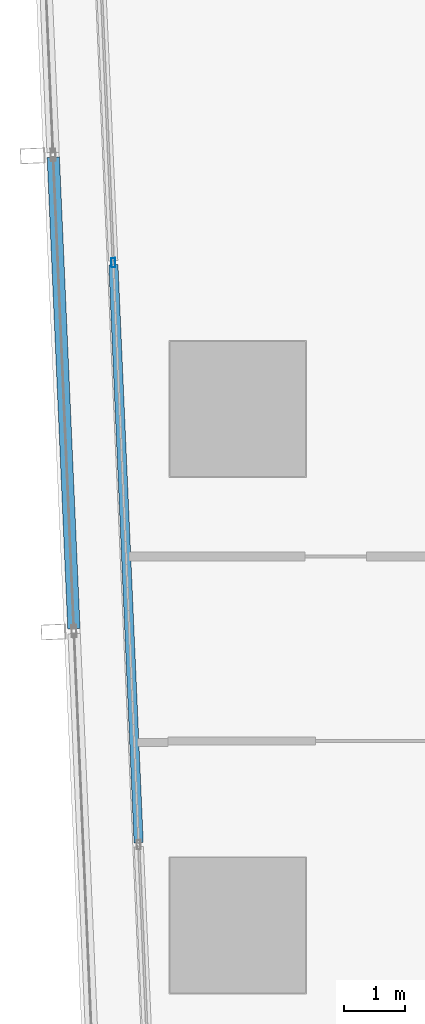
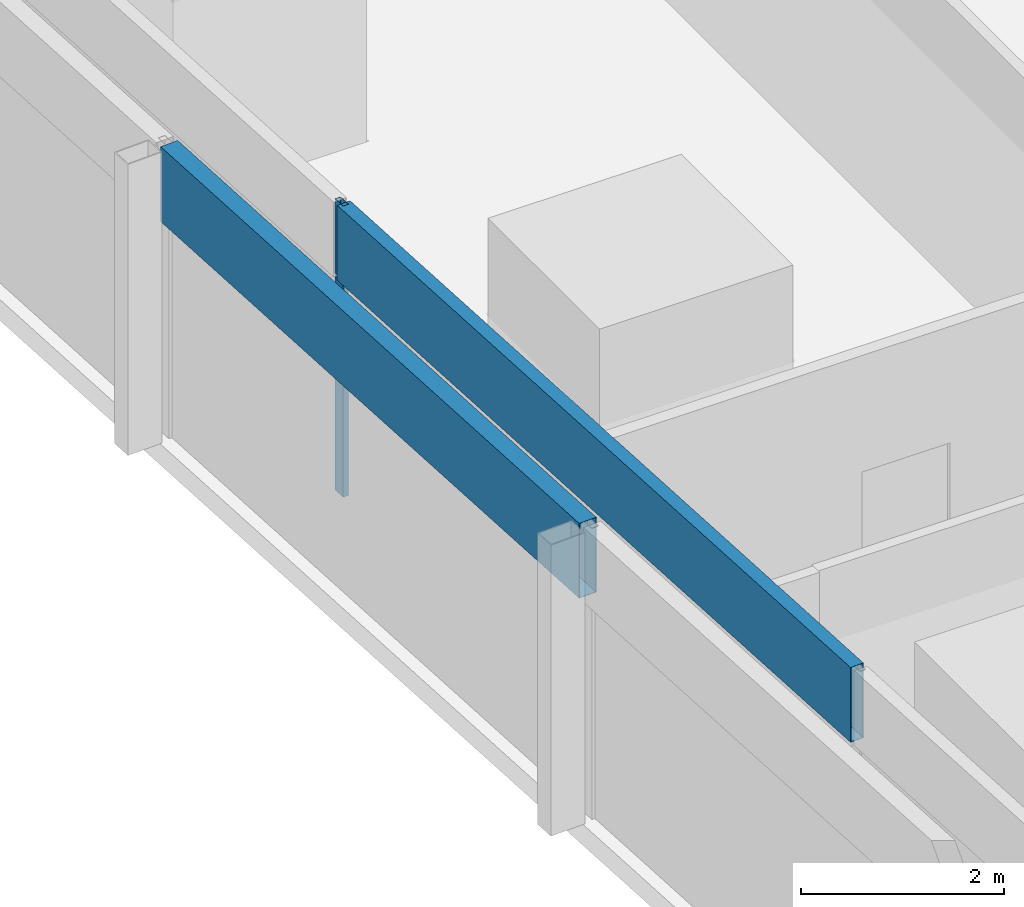
# One storey, part 8 of 44: 3 members, 2 elements without a shape of their own.
"""IFC4 building model written with IfcOpenShell, lengths in metres."""

from ifc_helpers import new_model, si_unit, direction, frame, origin, origin_2d, place, context, subcontext, project, spatial, hollow_rectangle, extrude, material, material_profile, profile_set, type_object, element, aggregate, save


model = new_model("IFC4")

# Units and contexts
model_context = context("Model", 3, precision=1e-05, world=origin(), true_north=direction((0.0, 1.0)))
body_context = subcontext(model_context, "Body", "Model", "MODEL_VIEW")
ifc_project = project(units=[si_unit("LENGTHUNIT", "METRE"), si_unit("AREAUNIT", "SQUARE_METRE"), si_unit("VOLUMEUNIT", "CUBIC_METRE"), si_unit("PLANEANGLEUNIT", "RADIAN"), si_unit("MASSUNIT", "GRAM", prefix="KILO")], contexts=[model_context])

# Site, building, storey
site_placement = place(None, origin())
site = spatial("IfcSite", under=ifc_project, at=site_placement, CompositionType="ELEMENT")
building_placement = place(site_placement, origin())
building = spatial("IfcBuilding", under=site, at=building_placement, Name="Rekha Terrace Tower", CompositionType="ELEMENT")
storey_placement = place(building_placement, frame((0.0, 0.0, 51.64990234375)))
storey = spatial("IfcBuildingStorey", under=building, at=storey_placement, Name="L12", CompositionType="ELEMENT", Elevation=51.64990234375)

# Curtain wall, members
ifc_material_1 = material(Name="Aluminium framing", Category="aluminium")
curtain_wall_type_1 = type_object("IfcCurtainWallType", Name="CW1 double skin inner glazing", PredefinedType="USERDEFINED", material=ifc_material_1)
curtain_wall_1_placement = place(storey_placement, origin())
curtain_wall_1 = element("IfcCurtainWall", 1, at=curtain_wall_1_placement, inside=storey, type_object=curtain_wall_type_1, Name="CW1 double skin inner glazing", ObjectType="DOUBLE SKIN INNER GLAZING", PredefinedType="USERDEFINED")
ifc_material_2 = material(Name="Aluminium mullion section", Category="aluminium")
ifc_material_profile_1 = material_profile(ifc_material_2, hollow_rectangle(XDim=0.06494140625, YDim=0.14990234375, WallThickness=0.00390625, at=origin_2d()), Name="AL RHS 65x150")
ifc_profile_set_1 = profile_set([ifc_material_profile_1], Name="Aluminium mullion section")
member_type_1 = type_object("IfcMemberType", Name="CW1 mullion RHS 65 x 150", PredefinedType="MULLION", material=ifc_profile_set_1)
member_1_placement = place(storey_placement, frame((6.37646484375, 35.978271484375, 0.0), z_axis=(0.0, 0.0, 1.0), x_axis=(0.999045462133, 0.043682543337, 0.0)))
member_1 = element("IfcMember", 2, at=member_1_placement, type_object=member_type_1, Name="CW1 mullion 2", PredefinedType="MULLION", context=body_context, shape_type="SweptSolid", body=[
    extrude(hollow_rectangle(XDim=0.06494140625, YDim=0.14990234375, WallThickness=0.00390625, at=origin_2d()), origin(), (0.0, 0.0, 1.0), 3.5),
])
ifc_material_3 = material(Name="Insulated aluminium spandrel box", Category="aluminium")
ifc_material_profile_2 = material_profile(ifc_material_3, hollow_rectangle(XDim=0.14990234375, YDim=0.89990234375, WallThickness=0.0029296875, at=origin_2d()), Name="AL SPANDREL BOX 150x900")
ifc_profile_set_2 = profile_set([ifc_material_profile_2], Name="Insulated aluminium spandrel box")
member_type_2 = type_object("IfcMemberType", Name="CW1 spandrel transom 150 x 900", PredefinedType="USERDEFINED", material=ifc_profile_set_2)
member_2_placement = place(storey_placement, frame((6.3779296875, 35.94580078125, 3.050048828125), z_axis=(0.043666917606, -0.999046145234, 0.0), x_axis=(0.999046145234, 0.043666917606, 0.0)))
member_2 = element("IfcMember", 3, at=member_2_placement, type_object=member_type_2, Name="CW1 spandrel transom 2", ObjectType="TRANSOM", PredefinedType="USERDEFINED", context=body_context, shape_type="SweptSolid", body=[
    extrude(hollow_rectangle(XDim=0.14990234375, YDim=0.89990234375, WallThickness=0.0029296875, at=origin_2d()), origin(), (0.0, 0.0, 1.0), 9.40966796875),
])
aggregate(curtain_wall_1, [member_1, member_2])

# Curtain wall, member
curtain_wall_type_2 = type_object("IfcCurtainWallType", Name="CW2 double skin outer glazing", PredefinedType="USERDEFINED", material=ifc_material_1)
curtain_wall_2_placement = place(storey_placement, origin())
curtain_wall_2 = element("IfcCurtainWall", 4, at=curtain_wall_2_placement, inside=storey, type_object=curtain_wall_type_2, Name="CW2 double skin outer glazing", ObjectType="DOUBLE SKIN OUTER GLAZING", PredefinedType="USERDEFINED")
ifc_material_profile_3 = material_profile(ifc_material_3, hollow_rectangle(XDim=0.199951171875, YDim=0.89990234375, WallThickness=0.0029296875, at=origin_2d()), Name="AL SPANDREL BOX 200x900")
ifc_profile_set_3 = profile_set([ifc_material_profile_3], Name="Insulated aluminium spandrel box")
member_type_3 = type_object("IfcMemberType", Name="CW2 spandrel transom 200 x 900", PredefinedType="USERDEFINED", material=ifc_profile_set_3)
member_3_placement = place(storey_placement, frame((5.400634765625, 37.690185546875, 3.050048828125), z_axis=(0.04369270591, -0.99904501773, 0.0), x_axis=(0.99904501773, 0.04369270591, 0.0)))
member_3 = element("IfcMember", 5, at=member_3_placement, type_object=member_type_3, Name="CW2 spandrel transom 2", ObjectType="TRANSOM", PredefinedType="USERDEFINED", context=body_context, shape_type="SweptSolid", body=[
    extrude(hollow_rectangle(XDim=0.199951171875, YDim=0.89990234375, WallThickness=0.0029296875, at=origin_2d()), origin(), (0.0, 0.0, 1.0), 7.671875),
])
aggregate(curtain_wall_2, [member_3])

save(model, "model.ifc")
